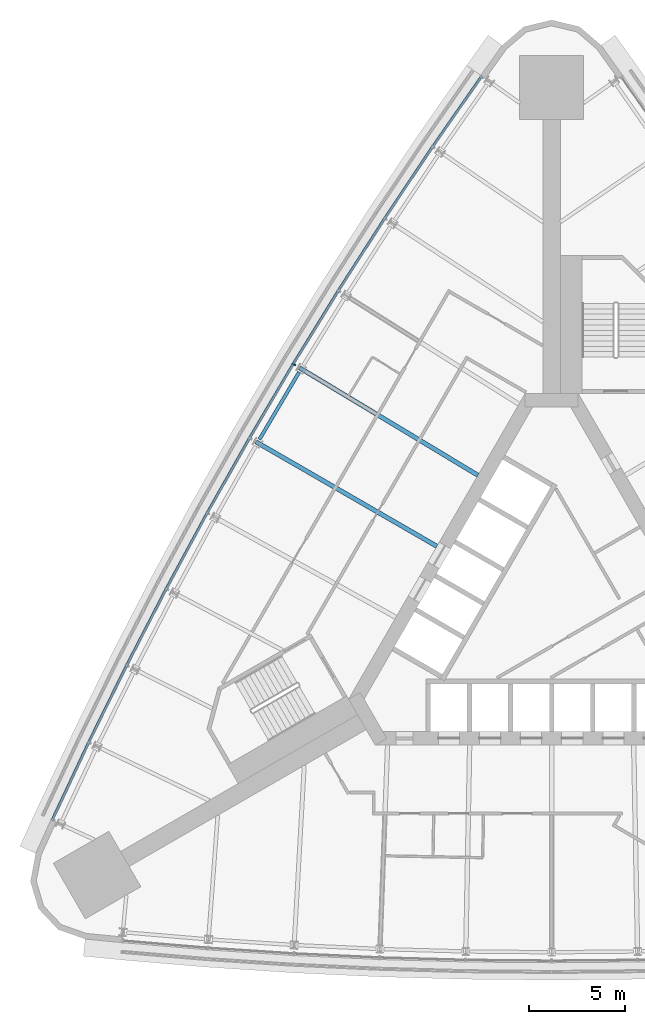
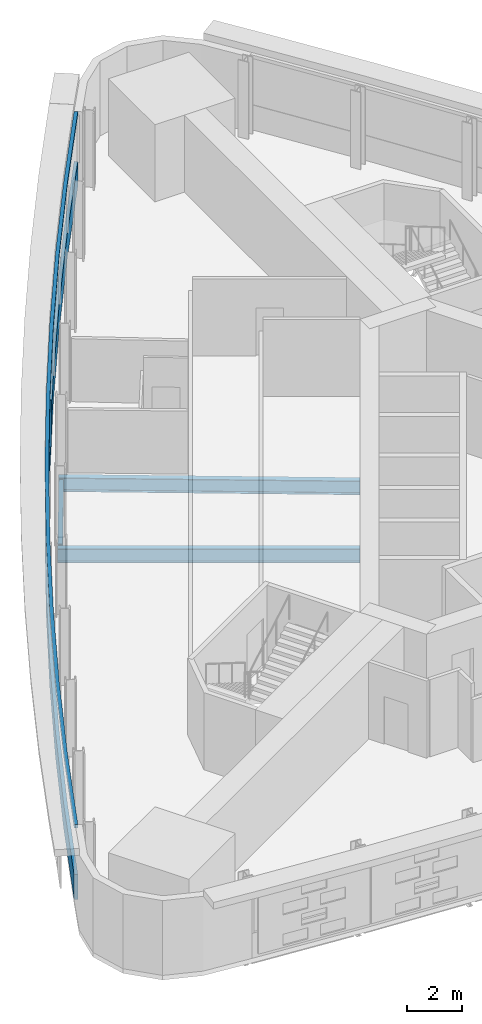
# One storey, part 5 of 14: 3 beams, 3 members, 1 element without a shape of its own.
"""IFC4 building model written with IfcOpenShell, lengths in metres."""

from ifc_helpers import new_model, si_unit, direction, frame, origin, origin_2d, place, context, subcontext, project, spatial, polyline, rectangle, i_section, outline, extrude, material, material_profile, profile_set, type_object, element, aggregate, save


model = new_model("IFC4")

# Units and contexts
model_context = context("Model", 3, precision=1e-05, world=origin(), true_north=direction((0.0, 1.0)))
body_context = subcontext(model_context, "Body", "Model", "MODEL_VIEW")
ifc_project = project(units=[si_unit("LENGTHUNIT", "METRE"), si_unit("AREAUNIT", "SQUARE_METRE"), si_unit("VOLUMEUNIT", "CUBIC_METRE"), si_unit("PLANEANGLEUNIT", "RADIAN"), si_unit("MASSUNIT", "GRAM", prefix="KILO")], contexts=[model_context])

# Site, building, storey
site_placement = place(None, origin())
site = spatial("IfcSite", under=ifc_project, at=site_placement, CompositionType="ELEMENT")
building_placement = place(site_placement, origin())
building = spatial("IfcBuilding", under=site, at=building_placement, Name="Noor Cloister Tower", CompositionType="ELEMENT")
storey_placement = place(building_placement, frame((0.0, 0.0, 42.0)))
storey = spatial("IfcBuildingStorey", under=building, at=storey_placement, Name="L10", CompositionType="ELEMENT", Elevation=42.0)

# Curtain wall, members
ifc_material_1 = material(Name="Aluminium 6063-T6 anodised", Category="aluminium")
curtain_wall_type = type_object("IfcCurtainWallType", Name="Ribbon curtain wall, lower tower CW1", PredefinedType="NOTDEFINED", material=ifc_material_1)
curtain_wall_placement = place(storey_placement, origin())
curtain_wall = element("IfcCurtainWall", 1, at=curtain_wall_placement, inside=storey, type_object=curtain_wall_type, Name="CW1 L10 NW run 1", PredefinedType="NOTDEFINED")
ifc_material_2 = material(Name="Aluminium 6063-T6 anodised", Category="aluminium")
member_type_1 = type_object("IfcMemberType", Name="Head transom CW1 150", PredefinedType="USERDEFINED", material=ifc_material_2)
member_1_placement = place(storey_placement, frame((0.0, 0.0, 3.14990234375)))
member_1 = element("IfcMember", 2, at=member_1_placement, type_object=member_type_1, Name="CW1 head transom", ObjectType="TRANSOM", PredefinedType="USERDEFINED", context=body_context, shape_type="SweptSolid", body=[
    extrude(outline(polyline([(-3.708984375, 28.084228515625), (-6.279052734375, 24.390380859375), (-8.779296875, 20.64892578125), (-11.209228515625, 16.861572265625), (-13.56787109375, 13.029296875), (-15.854248046875, 9.1533203125), (-18.067626953125, 5.2353515625), (-20.207275390625, 1.27685546875), (-22.272216796875, -2.721435546875), (-24.26220703125, -6.75732421875), (-26.176025390625, -10.830078125), (-26.04931640625, -10.8896484375), (-24.135986328125, -6.818115234375), (-22.147216796875, -2.784423828125), (-20.08349609375, 1.21142578125), (-17.945068359375, 5.167724609375), (-15.73291015625, 9.08349609375), (-13.447998046875, 12.95703125), (-11.0908203125, 16.787109375), (-8.662353515625, 20.572265625), (-6.163330078125, 24.3115234375), (-3.593994140625, 28.004150390625), (-3.708984375, 28.084228515625)])), origin(), (0.0, 0.0, 1.0), 0.150146484375),
])
ifc_material_3 = material(Name="Aluminium 6063-T6 anodised", Category="aluminium")
ifc_material_profile_1 = material_profile(ifc_material_3, rectangle(XDim=0.199951171875, YDim=0.080078125, at=origin_2d()), Name="200 x 80 mullion")
ifc_profile_set_1 = profile_set([ifc_material_profile_1], Name="Aluminium 6063-T6 anodised")
member_type_2 = type_object("IfcMemberType", Name="Mullion CW1 80 x 200", PredefinedType="MULLION", material=ifc_profile_set_1)
member_2_placement = place(storey_placement, frame((-13.482177734375, 12.9775390625, 1.10009765625), z_axis=(0.0, 0.0, 1.0), x_axis=(0.856510382098, -0.51612979507, 0.0)))
member_2 = element("IfcMember", 3, at=member_2_placement, type_object=member_type_2, Name="CW1 mullion 5", PredefinedType="MULLION", context=body_context, shape_type="SweptSolid", body=[
    extrude(rectangle(XDim=0.199951171875, YDim=0.080078125, at=origin_2d()), origin(), (0.0, 0.0, 1.0), 2.0498046875),
])

# Beams
ifc_material_4 = material(Name="Steel ASTM A992 Gr 50", Category="steel")
ifc_material_profile_2 = material_profile(ifc_material_4, i_section(OverallWidth=0.22900390625, OverallDepth=0.612060546875, WebThickness=0.011962890625, FlangeThickness=0.01953125, FilletRadius=0.0126953125, at=origin_2d()), Name="W610x125")
ifc_profile_set_2 = profile_set([ifc_material_profile_2], Name="Steel ASTM A992 Gr 50")
beam_type_1 = type_object("IfcBeamType", Name="Radial beam W610x125", PredefinedType="BEAM", material=ifc_profile_set_2)
beam_1_placement = place(storey_placement, frame((-13.1796875, 12.79541015625, -0.506103515625), z_axis=(0.856505836488, -0.516137338372, 0.0), x_axis=(0.516137338372, 0.856505836488, 0.0)))
element("IfcBeam", 4, at=beam_1_placement, inside=storey, type_object=beam_type_1, Name="Radial beam NW 05 L10", PredefinedType="BEAM", context=body_context, shape_type="SweptSolid", body=[
    extrude(i_section(OverallWidth=0.22900390625, OverallDepth=0.612060546875, WebThickness=0.011962890625, FlangeThickness=0.01953125, FilletRadius=0.0126953125, at=origin_2d()), origin(), (0.0, 0.0, 1.0), 10.885498046875),
])
beam_2_placement = place(storey_placement, frame((-15.4619140625, 8.927001953125, -0.506103515625), z_axis=(0.866023343127, -0.500003569146, 0.0), x_axis=(0.500003569146, 0.866023343127, 0.0)))
element("IfcBeam", 5, at=beam_2_placement, inside=storey, type_object=beam_type_1, Name="Radial beam NW 06 L10", PredefinedType="BEAM", context=body_context, shape_type="SweptSolid", body=[
    extrude(i_section(OverallWidth=0.22900390625, OverallDepth=0.612060546875, WebThickness=0.011962890625, FlangeThickness=0.01953125, FilletRadius=0.0126953125, at=origin_2d()), origin(), (0.0, 0.0, 1.0), 10.92578125),
])

# Member
ifc_material_5 = material(Name="Aluminium 6063-T6 anodised", Category="aluminium")
member_type_3 = type_object("IfcMemberType", Name="Sill transom CW1 1100", PredefinedType="USERDEFINED", material=ifc_material_5)
member_3_placement = place(storey_placement, origin())
member_3 = element("IfcMember", 6, at=member_3_placement, type_object=member_type_3, Name="CW1 sill transom", ObjectType="TRANSOM", PredefinedType="USERDEFINED", context=body_context, shape_type="SweptSolid", body=[
    extrude(outline(polyline([(-3.708984375, 28.084228515625), (-6.279052734375, 24.390380859375), (-8.779296875, 20.64892578125), (-11.209228515625, 16.861572265625), (-13.56787109375, 13.029296875), (-15.854248046875, 9.1533203125), (-18.067626953125, 5.2353515625), (-20.207275390625, 1.27685546875), (-22.272216796875, -2.721435546875), (-24.26220703125, -6.75732421875), (-26.176025390625, -10.830078125), (-26.04931640625, -10.8896484375), (-24.135986328125, -6.818115234375), (-22.147216796875, -2.784423828125), (-20.08349609375, 1.21142578125), (-17.945068359375, 5.167724609375), (-15.73291015625, 9.08349609375), (-13.447998046875, 12.95703125), (-11.0908203125, 16.787109375), (-8.662353515625, 20.572265625), (-6.163330078125, 24.3115234375), (-3.593994140625, 28.004150390625), (-3.708984375, 28.084228515625)])), origin(), (0.0, 0.0, 1.0), 1.10009765625),
])

aggregate(curtain_wall, [member_2, member_3, member_1])

# Beam
ifc_material_6 = material(Name="Steel ASTM A992 Gr 50", Category="steel")
ifc_material_profile_3 = material_profile(ifc_material_6, i_section(OverallWidth=0.177978515625, OverallDepth=0.406005859375, WebThickness=0.0078125, FlangeThickness=0.0126953125, FilletRadius=0.01025390625, at=origin_2d()), Name="W410x60")
ifc_profile_set_3 = profile_set([ifc_material_profile_3], Name="Steel ASTM A992 Gr 50")
beam_type_2 = type_object("IfcBeamType", Name="Spandrel beam W410x60", PredefinedType="SPANDREL", material=ifc_profile_set_3)
beam_3_placement = place(storey_placement, frame((-13.199462890625, 12.5712890625, -0.403076171875), z_axis=(-0.508074831261, -0.861312931424, 0.0), x_axis=(0.861312931424, -0.508074831261, 0.0)))
element("IfcBeam", 7, at=beam_3_placement, inside=storey, type_object=beam_type_2, Name="Spandrel beam NW 05 L10", PredefinedType="SPANDREL", context=body_context, shape_type="SweptSolid", body=[
    extrude(i_section(OverallWidth=0.177978515625, OverallDepth=0.406005859375, WebThickness=0.0078125, FlangeThickness=0.0126953125, FilletRadius=0.01025390625, at=origin_2d()), origin(), (0.0, 0.0, 1.0), 4.08544921875),
])

save(model, "model.ifc")
